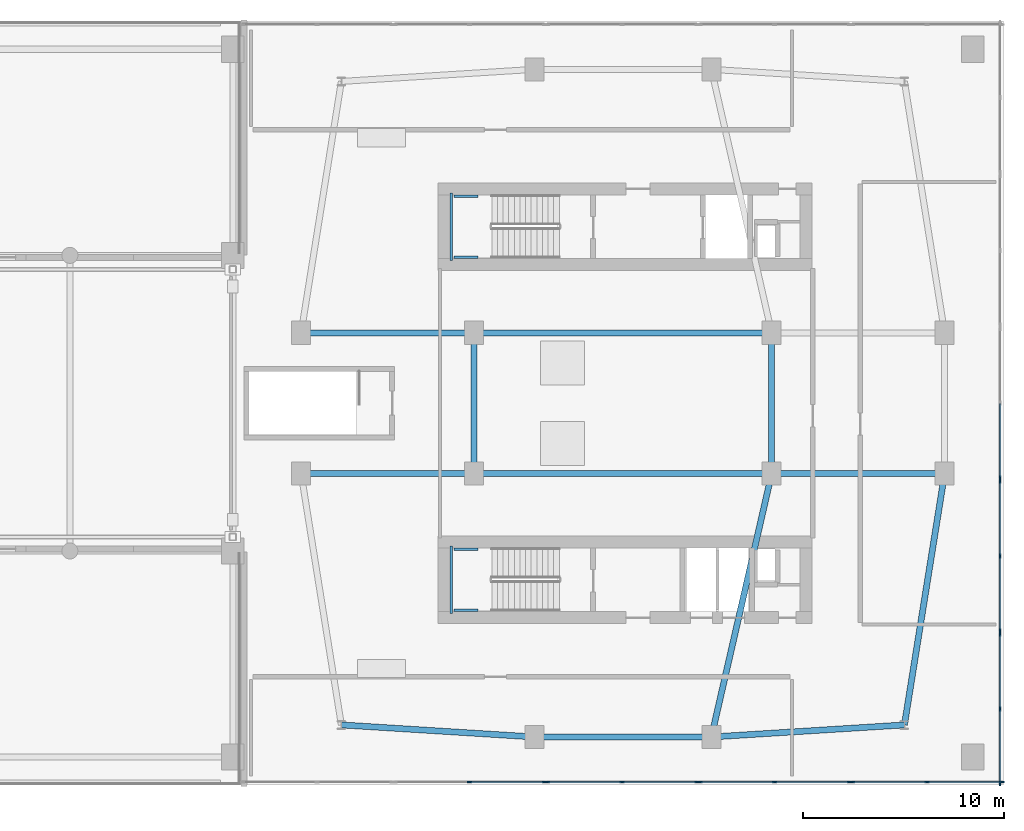
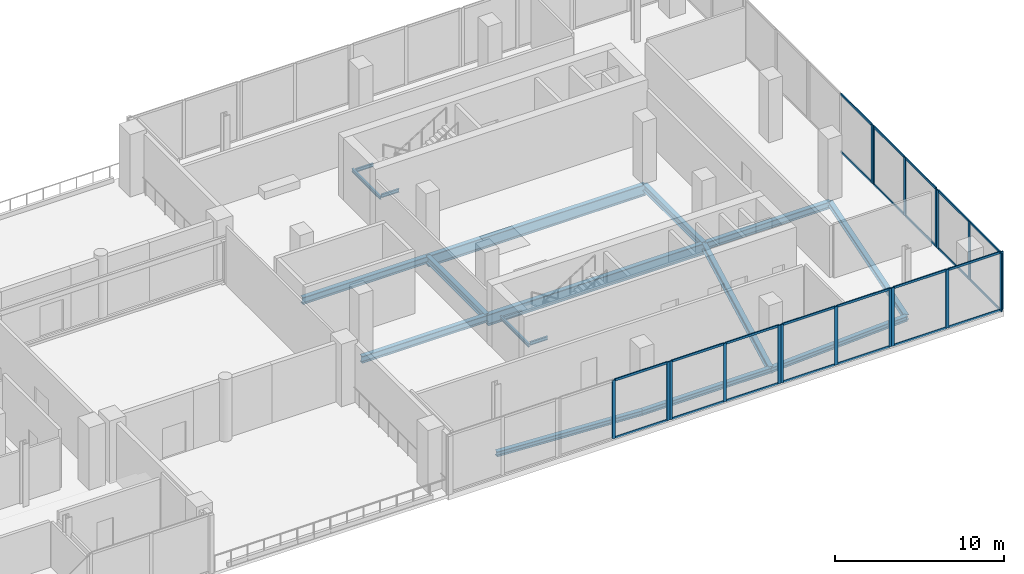
# One storey, part 10 of 21: 42 members, 18 beams, 7 elements without a shape of their own.
"""IFC4 building model written with IfcOpenShell, lengths in metres."""

from ifc_helpers import new_model, si_unit, derived_unit, direction, frame, origin, origin_2d, place, context, subcontext, project, spatial, rectangle, i_section, extrude, material, layer, layer_set, material_profile, profile_set, type_object, element, aggregate, save


model = new_model("IFC4")

# Units and contexts
model_context = context("Model", 3, precision=1e-05, world=origin(), true_north=direction((0.0, 1.0)))
body_context = subcontext(model_context, "Body", "Model", "MODEL_VIEW")
ifc_project = project(units=[si_unit("LENGTHUNIT", "METRE"), si_unit("AREAUNIT", "SQUARE_METRE"), si_unit("VOLUMEUNIT", "CUBIC_METRE"), si_unit("PLANEANGLEUNIT", "RADIAN"), si_unit("MASSUNIT", "GRAM", prefix="KILO"), derived_unit("THERMALTRANSMITTANCEUNIT", [(si_unit("POWERUNIT", "WATT"), 1), (si_unit("LENGTHUNIT", "METRE"), -2), (si_unit("THERMODYNAMICTEMPERATUREUNIT", "KELVIN"), -1)])], contexts=[model_context])

# Site, building, storey
site_placement = place(None, origin())
site = spatial("IfcSite", under=ifc_project, at=site_placement, CompositionType="ELEMENT")
building_placement = place(site_placement, origin())
building = spatial("IfcBuilding", under=site, at=building_placement, Name="Kivonza Crest Hotel", CompositionType="ELEMENT")
storey_placement = place(building_placement, frame((0.0, 0.0, 19.5)))
storey = spatial("IfcBuildingStorey", under=building, at=storey_placement, Name="L04", CompositionType="ELEMENT", Elevation=19.5)

# Beams
ifc_material_1 = material(Name="Steel S355", Category="steel")
ifc_material_profile_1 = material_profile(ifc_material_1, i_section(OverallWidth=0.300048828125, OverallDepth=0.360107421875, WebThickness=0.012451171875, FlangeThickness=0.0224609375, FilletRadius=0.027099609375, at=origin_2d()), Name="HEB 360")
ifc_profile_set_1 = profile_set([ifc_material_profile_1], Name="Steel S355")
beam_type_1 = type_object("IfcBeamType", Name="BM-HEB360", PredefinedType="SPANDREL", material=ifc_profile_set_1)
beam_1_placement = place(storey_placement, frame((72.60009765625, 8.39990234375, -0.580078125), z_axis=(1.0, 0.0, 0.0), x_axis=(0.0, 1.0, 0.0)))
element("IfcBeam", 1, at=beam_1_placement, inside=storey, type_object=beam_type_1, Name="Companion Tower T2 L04 perimeter spandrel S1-S2", PredefinedType="SPANDREL", context=body_context, shape_type="SweptSolid", body=[
    extrude(i_section(OverallWidth=0.300048828125, OverallDepth=0.360107421875, WebThickness=0.012451171875, FlangeThickness=0.0224609375, FilletRadius=0.027099609375, at=origin_2d()), origin(), (0.0, 0.0, 1.0), 8.7998046875),
])
beam_2_placement = place(storey_placement, frame((81.39990234375, 8.39990234375, -0.580078125), z_axis=(0.998051985873, 0.062387767186, 0.0), x_axis=(-0.062387767186, 0.998051985873, 0.0)))
element("IfcBeam", 2, at=beam_2_placement, inside=storey, type_object=beam_type_1, Name="Companion Tower T2 L04 perimeter spandrel S2-SE", PredefinedType="SPANDREL", context=body_context, shape_type="SweptSolid", body=[
    extrude(i_section(OverallWidth=0.300048828125, OverallDepth=0.360107421875, WebThickness=0.012451171875, FlangeThickness=0.0224609375, FilletRadius=0.027099609375, at=origin_2d()), origin(), (0.0, 0.0, 1.0), 9.618896484375),
])
beam_3_placement = place(storey_placement, frame((91.0, 9.0, -0.580078125), z_axis=(0.157990501107, 0.987440631917, 0.0), x_axis=(-0.987440631917, 0.157990501107, 0.0)))
element("IfcBeam", 3, at=beam_3_placement, inside=storey, type_object=beam_type_1, Name="Companion Tower T2 L04 perimeter spandrel SE-E1", PredefinedType="SPANDREL", context=body_context, shape_type="SweptSolid", body=[
    extrude(i_section(OverallWidth=0.300048828125, OverallDepth=0.360107421875, WebThickness=0.012451171875, FlangeThickness=0.0224609375, FilletRadius=0.027099609375, at=origin_2d()), origin(), (0.0, 0.0, 1.0), 12.658935546875),
])
beam_4_placement = place(storey_placement, frame((63.0, 9.0, -0.580078125), z_axis=(0.998051985873, -0.062387767186, 0.0), x_axis=(0.062387767186, 0.998051985873, 0.0)))
element("IfcBeam", 4, at=beam_4_placement, inside=storey, type_object=beam_type_1, Name="Companion Tower T2 L04 perimeter spandrel SW-S1", PredefinedType="SPANDREL", context=body_context, shape_type="SweptSolid", body=[
    extrude(i_section(OverallWidth=0.300048828125, OverallDepth=0.360107421875, WebThickness=0.012451171875, FlangeThickness=0.0224609375, FilletRadius=0.027099609375, at=origin_2d()), origin(), (0.0, 0.0, 1.0), 9.618896484375),
])
ifc_material_profile_2 = material_profile(ifc_material_1, i_section(OverallWidth=0.300048828125, OverallDepth=0.5, WebThickness=0.014404296875, FlangeThickness=0.028076171875, FilletRadius=0.027099609375, at=origin_2d()), Name="HEB 500")
ifc_profile_set_2 = profile_set([ifc_material_profile_2], Name="Steel S355")
beam_type_2 = type_object("IfcBeamType", Name="BM-HEB500", PredefinedType="BEAM", material=ifc_profile_set_2)
for number, where, z_axis, x_axis, name in (
    (5, (61.0, 21.5, -0.64990234375), (1.0, 0.0, 0.0), (0.0, 1.0, 0.0), "Companion Tower T2 L04 girder W1-WL1"),
    (6, (61.0, 28.5, -0.64990234375), (1.0, 0.0, 0.0), (0.0, 1.0, 0.0), "Companion Tower T2 L04 girder W2-WL2"),
):
    element("IfcBeam", number, at=place(storey_placement, frame(where, z_axis=z_axis, x_axis=x_axis)), inside=storey, type_object=beam_type_2, Name=name, PredefinedType="BEAM", context=body_context, shape_type="SweptSolid", body=[
        extrude(i_section(OverallWidth=0.300048828125, OverallDepth=0.5, WebThickness=0.014404296875, FlangeThickness=0.028076171875, FilletRadius=0.027099609375, at=origin_2d()), origin(), (0.0, 0.0, 1.0), 8.60009765625),
    ])
beam_5_placement = place(storey_placement, frame((69.60009765625, 21.5, -0.64990234375), z_axis=(0.0, 1.0, 0.0), x_axis=(-1.0, 0.0, 0.0)))
element("IfcBeam", 7, at=beam_5_placement, inside=storey, type_object=beam_type_2, Name="Companion Tower T2 L04 girder WL1-WL2", PredefinedType="BEAM", context=body_context, shape_type="SweptSolid", body=[
    extrude(i_section(OverallWidth=0.300048828125, OverallDepth=0.5, WebThickness=0.014404296875, FlangeThickness=0.028076171875, FilletRadius=0.027099609375, at=origin_2d()), origin(), (0.0, 0.0, 1.0), 7.0),
])
beam_6_placement = place(storey_placement, frame((84.39990234375, 21.5, -0.64990234375), z_axis=(1.0, 0.0, 0.0), x_axis=(0.0, 1.0, 0.0)))
element("IfcBeam", 8, at=beam_6_placement, inside=storey, type_object=beam_type_2, Name="Companion Tower T2 L04 girder WR1-E1", PredefinedType="BEAM", context=body_context, shape_type="SweptSolid", body=[
    extrude(i_section(OverallWidth=0.300048828125, OverallDepth=0.5, WebThickness=0.014404296875, FlangeThickness=0.028076171875, FilletRadius=0.027099609375, at=origin_2d()), origin(), (0.0, 0.0, 1.0), 8.60009765625),
])
beam_7_placement = place(storey_placement, frame((84.39990234375, 21.5, -0.64990234375), z_axis=(0.0, 1.0, 0.0), x_axis=(-1.0, 0.0, 0.0)))
element("IfcBeam", 9, at=beam_7_placement, inside=storey, type_object=beam_type_2, Name="Companion Tower T2 L04 girder WR1-WR2", PredefinedType="BEAM", context=body_context, shape_type="SweptSolid", body=[
    extrude(i_section(OverallWidth=0.300048828125, OverallDepth=0.5, WebThickness=0.014404296875, FlangeThickness=0.028076171875, FilletRadius=0.027099609375, at=origin_2d()), origin(), (0.0, 0.0, 1.0), 7.0),
])
beam_8_placement = place(storey_placement, frame((84.39990234375, 21.5, -0.64990234375), z_axis=(-0.223227287589, -0.974766422317, 0.0), x_axis=(0.974766422317, -0.223227287589, 0.0)))
element("IfcBeam", 10, at=beam_8_placement, inside=storey, type_object=beam_type_2, Name="Companion Tower T2 L04 girder WR1-S2", PredefinedType="BEAM", context=body_context, shape_type="SweptSolid", body=[
    extrude(i_section(OverallWidth=0.300048828125, OverallDepth=0.5, WebThickness=0.014404296875, FlangeThickness=0.028076171875, FilletRadius=0.027099609375, at=origin_2d()), origin(), (0.0, 0.0, 1.0), 13.439208984375),
])
ifc_material_profile_3 = material_profile(ifc_material_1, i_section(OverallWidth=0.300048828125, OverallDepth=0.800048828125, WebThickness=0.017578125, FlangeThickness=0.032958984375, FilletRadius=0.030029296875, at=origin_2d()), Name="HEB 800")
ifc_profile_set_3 = profile_set([ifc_material_profile_3], Name="Steel S355")
beam_type_3 = type_object("IfcBeamType", Name="BM-HEB800", PredefinedType="BEAM", material=ifc_profile_set_3)
for number, where, z_axis, x_axis, name in (
    (11, (69.60009765625, 21.5, -0.800048828125), (1.0, 0.0, 0.0), (0.0, 1.0, 0.0), "L04 podium girder X 14"),
    (12, (69.60009765625, 28.5, -0.800048828125), (1.0, 0.0, 0.0), (0.0, 1.0, 0.0), "L04 podium girder X 21"),
):
    element("IfcBeam", number, at=place(storey_placement, frame(where, z_axis=z_axis, x_axis=x_axis)), inside=storey, type_object=beam_type_3, Name=name, PredefinedType="BEAM", context=body_context, shape_type="SweptSolid", body=[
        extrude(i_section(OverallWidth=0.300048828125, OverallDepth=0.800048828125, WebThickness=0.017578125, FlangeThickness=0.032958984375, FilletRadius=0.030029296875, at=origin_2d()), origin(), (0.0, 0.0, 1.0), 14.7998046875),
    ])
ifc_material_profile_4 = material_profile(ifc_material_1, i_section(OverallWidth=0.1201171875, OverallDepth=0.239990234375, WebThickness=0.006103515625, FlangeThickness=0.009765625, FilletRadius=0.014892578125, at=origin_2d()), Name="IPE 240")
ifc_profile_set_4 = profile_set([ifc_material_profile_4], Name="Steel S355")
beam_type_4 = type_object("IfcBeamType", Name="BM-LLDG-240", PredefinedType="BEAM", material=ifc_profile_set_4)
beam_9_placement = place(storey_placement, frame((68.4599609375, 32.10009765625, 1.929931640625), z_axis=(0.0, 1.0, 0.0), x_axis=(-1.0, 0.0, 0.0)))
element("IfcBeam", 13, at=beam_9_placement, inside=storey, type_object=beam_type_4, Name="Stair ST-T2-N L04 West landing corbel", PredefinedType="BEAM", context=body_context, shape_type="SweptSolid", body=[
    extrude(i_section(OverallWidth=0.1201171875, OverallDepth=0.239990234375, WebThickness=0.006103515625, FlangeThickness=0.009765625, FilletRadius=0.014892578125, at=origin_2d()), origin(), (0.0, 0.0, 1.0), 3.35986328125),
])
for number, where, z_axis, x_axis, name in (
    (14, (68.590087890625, 32.260009765625, 1.929931640625), (1.0, 0.0, 0.0), (0.0, 1.0, 0.0), "Stair ST-T2-N L04 South landing corbel"),
    (15, (68.590087890625, 35.300048828125, 1.929931640625), (1.0, 0.0, 0.0), (0.0, 1.0, 0.0), "Stair ST-T2-N L04 North landing corbel"),
):
    element("IfcBeam", number, at=place(storey_placement, frame(where, z_axis=z_axis, x_axis=x_axis)), inside=storey, type_object=beam_type_4, Name=name, PredefinedType="BEAM", context=body_context, shape_type="SweptSolid", body=[
        extrude(i_section(OverallWidth=0.1201171875, OverallDepth=0.239990234375, WebThickness=0.006103515625, FlangeThickness=0.009765625, FilletRadius=0.014892578125, at=origin_2d()), origin(), (0.0, 0.0, 1.0), 1.2099609375),
    ])
beam_10_placement = place(storey_placement, frame((68.4599609375, 14.5400390625, 1.929931640625), z_axis=(0.0, 1.0, 0.0), x_axis=(-1.0, 0.0, 0.0)))
element("IfcBeam", 16, at=beam_10_placement, inside=storey, type_object=beam_type_4, Name="Stair ST-T2-S L04 West landing corbel", PredefinedType="BEAM", context=body_context, shape_type="SweptSolid", body=[
    extrude(i_section(OverallWidth=0.1201171875, OverallDepth=0.239990234375, WebThickness=0.006103515625, FlangeThickness=0.009765625, FilletRadius=0.014892578125, at=origin_2d()), origin(), (0.0, 0.0, 1.0), 3.35986328125),
])
for number, where, z_axis, x_axis, name in (
    (17, (68.590087890625, 14.699951171875, 1.929931640625), (1.0, 0.0, 0.0), (0.0, 1.0, 0.0), "Stair ST-T2-S L04 South landing corbel"),
    (18, (68.590087890625, 17.739990234375, 1.929931640625), (1.0, 0.0, 0.0), (0.0, 1.0, 0.0), "Stair ST-T2-S L04 North landing corbel"),
):
    element("IfcBeam", number, at=place(storey_placement, frame(where, z_axis=z_axis, x_axis=x_axis)), inside=storey, type_object=beam_type_4, Name=name, PredefinedType="BEAM", context=body_context, shape_type="SweptSolid", body=[
        extrude(i_section(OverallWidth=0.1201171875, OverallDepth=0.239990234375, WebThickness=0.006103515625, FlangeThickness=0.009765625, FilletRadius=0.014892578125, at=origin_2d()), origin(), (0.0, 0.0, 1.0), 1.2099609375),
    ])

# Curtain wall, members
ifc_material_2 = material(Name="Anodised bronze aluminium and low-E double glazing", Category="aluminium")
ifc_layer = layer(ifc_material_2, 0.199951171875)
ifc_layer_set = layer_set([ifc_layer], Name="Anodised bronze aluminium and low-E double glazing")
curtain_wall_type = type_object("IfcCurtainWallType", Name="CW-SYS-6", PredefinedType="NOTDEFINED", material=ifc_layer_set)
curtain_wall_1_placement = place(storey_placement, origin())
curtain_wall_1 = element("IfcCurtainWall", 19, at=curtain_wall_1_placement, inside=storey, type_object=curtain_wall_type, Name="L04 unitised curtain wall CW-POD-L04-12", PredefinedType="NOTDEFINED")
ifc_material_3 = material(Name="Anodised bronze aluminium", Category="aluminium")
ifc_material_profile_5 = material_profile(ifc_material_3, rectangle(XDim=0.074951171875, YDim=0.219970703125, at=origin_2d()), Name="CW-M 75x220")
ifc_profile_set_5 = profile_set([ifc_material_profile_5], Name="Anodised bronze aluminium")
member_type_1 = type_object("IfcMemberType", Name="CW-MUL-75x220", PredefinedType="MULLION", material=ifc_profile_set_5)
member_1_placement = place(storey_placement, frame((69.3759765625, 6.159912109375, 0.0), z_axis=(0.0, 0.0, 1.0), x_axis=(0.0, 1.0, 0.0)))
member_1 = element("IfcMember", 20, at=member_1_placement, type_object=member_type_1, Name="CW-6 mullion 2", PredefinedType="MULLION", context=body_context, shape_type="SweptSolid", body=[
    extrude(rectangle(XDim=0.074951171875, YDim=0.219970703125, at=origin_2d()), origin(), (0.0, 0.0, 1.0), 4.219970703125),
])
member_2_placement = place(storey_placement, frame((73.090576171875, 6.159912109375, 0.0), z_axis=(0.0, 0.0, 1.0), x_axis=(0.0, 1.0, 0.0)))
member_2 = element("IfcMember", 21, at=member_2_placement, type_object=member_type_1, Name="CW-6 mullion 3", PredefinedType="MULLION", context=body_context, shape_type="SweptSolid", body=[
    extrude(rectangle(XDim=0.074951171875, YDim=0.219970703125, at=origin_2d()), origin(), (0.0, 0.0, 1.0), 4.219970703125),
])

curtain_wall_2_placement = place(storey_placement, origin())
curtain_wall_2 = element("IfcCurtainWall", 22, at=curtain_wall_2_placement, inside=storey, type_object=curtain_wall_type, Name="L04 unitised curtain wall CW-POD-L04-13", PredefinedType="NOTDEFINED")
member_3_placement = place(storey_placement, frame((73.24560546875, 6.159912109375, 0.0), z_axis=(0.0, 0.0, 1.0), x_axis=(0.0, 1.0, 0.0)))
member_3 = element("IfcMember", 23, at=member_3_placement, type_object=member_type_1, Name="CW-6 mullion 1", PredefinedType="MULLION", context=body_context, shape_type="SweptSolid", body=[
    extrude(rectangle(XDim=0.074951171875, YDim=0.219970703125, at=origin_2d()), origin(), (0.0, 0.0, 1.0), 4.219970703125),
])
member_4_placement = place(storey_placement, frame((76.9599609375, 6.159912109375, 0.0), z_axis=(0.0, 0.0, 1.0), x_axis=(0.0, 1.0, 0.0)))
member_4 = element("IfcMember", 24, at=member_4_placement, type_object=member_type_1, Name="CW-6 mullion 2", PredefinedType="MULLION", context=body_context, shape_type="SweptSolid", body=[
    extrude(rectangle(XDim=0.074951171875, YDim=0.219970703125, at=origin_2d()), origin(), (0.0, 0.0, 1.0), 4.219970703125),
])
member_5_placement = place(storey_placement, frame((80.674560546875, 6.159912109375, 0.0), z_axis=(0.0, 0.0, 1.0), x_axis=(0.0, 1.0, 0.0)))
member_5 = element("IfcMember", 25, at=member_5_placement, type_object=member_type_1, Name="CW-6 mullion 3", PredefinedType="MULLION", context=body_context, shape_type="SweptSolid", body=[
    extrude(rectangle(XDim=0.074951171875, YDim=0.219970703125, at=origin_2d()), origin(), (0.0, 0.0, 1.0), 4.219970703125),
])

curtain_wall_3_placement = place(storey_placement, origin())
curtain_wall_3 = element("IfcCurtainWall", 26, at=curtain_wall_3_placement, inside=storey, type_object=curtain_wall_type, Name="L04 unitised curtain wall CW-POD-L04-14", PredefinedType="NOTDEFINED")
member_6_placement = place(storey_placement, frame((80.82958984375, 6.159912109375, 0.0), z_axis=(0.0, 0.0, 1.0), x_axis=(0.0, 1.0, 0.0)))
member_6 = element("IfcMember", 27, at=member_6_placement, type_object=member_type_1, Name="CW-6 mullion 1", PredefinedType="MULLION", context=body_context, shape_type="SweptSolid", body=[
    extrude(rectangle(XDim=0.074951171875, YDim=0.219970703125, at=origin_2d()), origin(), (0.0, 0.0, 1.0), 4.219970703125),
])
member_7_placement = place(storey_placement, frame((84.5439453125, 6.159912109375, 0.0), z_axis=(0.0, 0.0, 1.0), x_axis=(0.0, 1.0, 0.0)))
member_7 = element("IfcMember", 28, at=member_7_placement, type_object=member_type_1, Name="CW-6 mullion 2", PredefinedType="MULLION", context=body_context, shape_type="SweptSolid", body=[
    extrude(rectangle(XDim=0.074951171875, YDim=0.219970703125, at=origin_2d()), origin(), (0.0, 0.0, 1.0), 4.219970703125),
])
member_8_placement = place(storey_placement, frame((88.258544921875, 6.159912109375, 0.0), z_axis=(0.0, 0.0, 1.0), x_axis=(0.0, 1.0, 0.0)))
member_8 = element("IfcMember", 29, at=member_8_placement, type_object=member_type_1, Name="CW-6 mullion 3", PredefinedType="MULLION", context=body_context, shape_type="SweptSolid", body=[
    extrude(rectangle(XDim=0.074951171875, YDim=0.219970703125, at=origin_2d()), origin(), (0.0, 0.0, 1.0), 4.219970703125),
])

curtain_wall_4_placement = place(storey_placement, origin())
curtain_wall_4 = element("IfcCurtainWall", 30, at=curtain_wall_4_placement, inside=storey, type_object=curtain_wall_type, Name="L04 unitised curtain wall CW-POD-L04-15", PredefinedType="NOTDEFINED")
member_9_placement = place(storey_placement, frame((88.41357421875, 6.159912109375, 0.0), z_axis=(0.0, 0.0, 1.0), x_axis=(0.0, 1.0, 0.0)))
member_9 = element("IfcMember", 31, at=member_9_placement, type_object=member_type_1, Name="CW-6 mullion 1", PredefinedType="MULLION", context=body_context, shape_type="SweptSolid", body=[
    extrude(rectangle(XDim=0.074951171875, YDim=0.219970703125, at=origin_2d()), origin(), (0.0, 0.0, 1.0), 4.219970703125),
])
member_10_placement = place(storey_placement, frame((92.1279296875, 6.159912109375, 0.0), z_axis=(0.0, 0.0, 1.0), x_axis=(0.0, 1.0, 0.0)))
member_10 = element("IfcMember", 32, at=member_10_placement, type_object=member_type_1, Name="CW-6 mullion 2", PredefinedType="MULLION", context=body_context, shape_type="SweptSolid", body=[
    extrude(rectangle(XDim=0.074951171875, YDim=0.219970703125, at=origin_2d()), origin(), (0.0, 0.0, 1.0), 4.219970703125),
])
member_11_placement = place(storey_placement, frame((95.842529296875, 6.159912109375, 0.0), z_axis=(0.0, 0.0, 1.0), x_axis=(0.0, 1.0, 0.0)))
member_11 = element("IfcMember", 33, at=member_11_placement, type_object=member_type_1, Name="CW-6 mullion 3", PredefinedType="MULLION", context=body_context, shape_type="SweptSolid", body=[
    extrude(rectangle(XDim=0.074951171875, YDim=0.219970703125, at=origin_2d()), origin(), (0.0, 0.0, 1.0), 4.219970703125),
])

curtain_wall_5_placement = place(storey_placement, origin())
curtain_wall_5 = element("IfcCurtainWall", 34, at=curtain_wall_5_placement, inside=storey, type_object=curtain_wall_type, Name="L04 unitised curtain wall CW-POD-L04-16", PredefinedType="NOTDEFINED")
member_12_placement = place(storey_placement, frame((95.760009765625, 6.077392578125, 0.0), z_axis=(0.0, 0.0, 1.0), x_axis=(-1.0, 0.0, 0.0)))
member_12 = element("IfcMember", 35, at=member_12_placement, type_object=member_type_1, Name="CW-6 mullion 1", PredefinedType="MULLION", context=body_context, shape_type="SweptSolid", body=[
    extrude(rectangle(XDim=0.074951171875, YDim=0.219970703125, at=origin_2d()), origin(), (0.0, 0.0, 1.0), 4.219970703125),
])
member_13_placement = place(storey_placement, frame((95.760009765625, 9.800048828125, 0.0), z_axis=(0.0, 0.0, 1.0), x_axis=(-1.0, 0.0, 0.0)))
member_13 = element("IfcMember", 36, at=member_13_placement, type_object=member_type_1, Name="CW-6 mullion 2", PredefinedType="MULLION", context=body_context, shape_type="SweptSolid", body=[
    extrude(rectangle(XDim=0.074951171875, YDim=0.219970703125, at=origin_2d()), origin(), (0.0, 0.0, 1.0), 4.219970703125),
])
member_14_placement = place(storey_placement, frame((95.760009765625, 13.5224609375, 0.0), z_axis=(0.0, 0.0, 1.0), x_axis=(-1.0, 0.0, 0.0)))
member_14 = element("IfcMember", 37, at=member_14_placement, type_object=member_type_1, Name="CW-6 mullion 3", PredefinedType="MULLION", context=body_context, shape_type="SweptSolid", body=[
    extrude(rectangle(XDim=0.074951171875, YDim=0.219970703125, at=origin_2d()), origin(), (0.0, 0.0, 1.0), 4.219970703125),
])

curtain_wall_6_placement = place(storey_placement, origin())
curtain_wall_6 = element("IfcCurtainWall", 38, at=curtain_wall_6_placement, inside=storey, type_object=curtain_wall_type, Name="L04 unitised curtain wall CW-POD-L04-17", PredefinedType="NOTDEFINED")
member_15_placement = place(storey_placement, frame((95.760009765625, 13.677490234375, 0.0), z_axis=(0.0, 0.0, 1.0), x_axis=(-1.0, 0.0, 0.0)))
member_15 = element("IfcMember", 39, at=member_15_placement, type_object=member_type_1, Name="CW-6 mullion 1", PredefinedType="MULLION", context=body_context, shape_type="SweptSolid", body=[
    extrude(rectangle(XDim=0.074951171875, YDim=0.219970703125, at=origin_2d()), origin(), (0.0, 0.0, 1.0), 4.219970703125),
])
member_16_placement = place(storey_placement, frame((95.760009765625, 17.39990234375, 0.0), z_axis=(0.0, 0.0, 1.0), x_axis=(-1.0, 0.0, 0.0)))
member_16 = element("IfcMember", 40, at=member_16_placement, type_object=member_type_1, Name="CW-6 mullion 2", PredefinedType="MULLION", context=body_context, shape_type="SweptSolid", body=[
    extrude(rectangle(XDim=0.074951171875, YDim=0.219970703125, at=origin_2d()), origin(), (0.0, 0.0, 1.0), 4.219970703125),
])
member_17_placement = place(storey_placement, frame((95.760009765625, 21.12255859375, 0.0), z_axis=(0.0, 0.0, 1.0), x_axis=(-1.0, 0.0, 0.0)))
member_17 = element("IfcMember", 41, at=member_17_placement, type_object=member_type_1, Name="CW-6 mullion 3", PredefinedType="MULLION", context=body_context, shape_type="SweptSolid", body=[
    extrude(rectangle(XDim=0.074951171875, YDim=0.219970703125, at=origin_2d()), origin(), (0.0, 0.0, 1.0), 4.219970703125),
])

# Curtain wall, member
curtain_wall_7_placement = place(storey_placement, origin())
curtain_wall_7 = element("IfcCurtainWall", 42, at=curtain_wall_7_placement, inside=storey, type_object=curtain_wall_type, Name="L04 unitised curtain wall CW-POD-L04-18", PredefinedType="NOTDEFINED")
member_18_placement = place(storey_placement, frame((95.760009765625, 21.277587890625, 0.0), z_axis=(0.0, 0.0, 1.0), x_axis=(-1.0, 0.0, 0.0)))
member_18 = element("IfcMember", 43, at=member_18_placement, type_object=member_type_1, Name="CW-6 mullion 1", PredefinedType="MULLION", context=body_context, shape_type="SweptSolid", body=[
    extrude(rectangle(XDim=0.074951171875, YDim=0.219970703125, at=origin_2d()), origin(), (0.0, 0.0, 1.0), 4.219970703125),
])

# Member
ifc_material_profile_6 = material_profile(ifc_material_3, rectangle(XDim=0.074951171875, YDim=0.159912109375, at=origin_2d()), Name="CW-T 75x160")
ifc_profile_set_6 = profile_set([ifc_material_profile_6], Name="Anodised bronze aluminium")
member_type_2 = type_object("IfcMemberType", Name="CW-TRN-75x160", PredefinedType="USERDEFINED", material=ifc_profile_set_6)
member_19_placement = place(storey_placement, frame((69.41357421875, 6.159912109375, 0.03759765625), z_axis=(1.0, 0.0, 0.0), x_axis=(0.0, 1.0, 0.0)))
member_19 = element("IfcMember", 44, at=member_19_placement, type_object=member_type_2, Name="CW-6 transom 2.1", ObjectType="TRANSOM", PredefinedType="USERDEFINED", context=body_context, shape_type="SweptSolid", body=[
    extrude(rectangle(XDim=0.074951171875, YDim=0.159912109375, at=origin_2d()), origin(), (0.0, 0.0, 1.0), 3.639404296875),
])

member_20_placement = place(storey_placement, frame((69.41357421875, 6.159912109375, 4.1826171875), z_axis=(1.0, 0.0, 0.0), x_axis=(0.0, 1.0, 0.0)))
member_20 = element("IfcMember", 45, at=member_20_placement, type_object=member_type_2, Name="CW-6 transom 2.2", ObjectType="TRANSOM", PredefinedType="USERDEFINED", context=body_context, shape_type="SweptSolid", body=[
    extrude(rectangle(XDim=0.074951171875, YDim=0.159912109375, at=origin_2d()), origin(), (0.0, 0.0, 1.0), 3.639404296875),
])

aggregate(curtain_wall_1, [member_1, member_2, member_19, member_20])

member_21_placement = place(storey_placement, frame((73.282958984375, 6.159912109375, 0.03759765625), z_axis=(1.0, 0.0, 0.0), x_axis=(0.0, 1.0, 0.0)))
member_21 = element("IfcMember", 46, at=member_21_placement, type_object=member_type_2, Name="CW-6 transom 1.1", ObjectType="TRANSOM", PredefinedType="USERDEFINED", context=body_context, shape_type="SweptSolid", body=[
    extrude(rectangle(XDim=0.074951171875, YDim=0.159912109375, at=origin_2d()), origin(), (0.0, 0.0, 1.0), 3.6396484375),
])

member_22_placement = place(storey_placement, frame((73.282958984375, 6.159912109375, 4.1826171875), z_axis=(1.0, 0.0, 0.0), x_axis=(0.0, 1.0, 0.0)))
member_22 = element("IfcMember", 47, at=member_22_placement, type_object=member_type_2, Name="CW-6 transom 1.2", ObjectType="TRANSOM", PredefinedType="USERDEFINED", context=body_context, shape_type="SweptSolid", body=[
    extrude(rectangle(XDim=0.074951171875, YDim=0.159912109375, at=origin_2d()), origin(), (0.0, 0.0, 1.0), 3.6396484375),
])

member_23_placement = place(storey_placement, frame((76.99755859375, 6.159912109375, 0.03759765625), z_axis=(1.0, 0.0, 0.0), x_axis=(0.0, 1.0, 0.0)))
member_23 = element("IfcMember", 48, at=member_23_placement, type_object=member_type_2, Name="CW-6 transom 2.1", ObjectType="TRANSOM", PredefinedType="USERDEFINED", context=body_context, shape_type="SweptSolid", body=[
    extrude(rectangle(XDim=0.074951171875, YDim=0.159912109375, at=origin_2d()), origin(), (0.0, 0.0, 1.0), 3.639404296875),
])

member_24_placement = place(storey_placement, frame((76.99755859375, 6.159912109375, 4.1826171875), z_axis=(1.0, 0.0, 0.0), x_axis=(0.0, 1.0, 0.0)))
member_24 = element("IfcMember", 49, at=member_24_placement, type_object=member_type_2, Name="CW-6 transom 2.2", ObjectType="TRANSOM", PredefinedType="USERDEFINED", context=body_context, shape_type="SweptSolid", body=[
    extrude(rectangle(XDim=0.074951171875, YDim=0.159912109375, at=origin_2d()), origin(), (0.0, 0.0, 1.0), 3.639404296875),
])

aggregate(curtain_wall_2, [member_3, member_4, member_5, member_21, member_22, member_23, member_24])

member_25_placement = place(storey_placement, frame((80.866943359375, 6.159912109375, 0.03759765625), z_axis=(1.0, 0.0, 0.0), x_axis=(0.0, 1.0, 0.0)))
member_25 = element("IfcMember", 50, at=member_25_placement, type_object=member_type_2, Name="CW-6 transom 1.1", ObjectType="TRANSOM", PredefinedType="USERDEFINED", context=body_context, shape_type="SweptSolid", body=[
    extrude(rectangle(XDim=0.074951171875, YDim=0.159912109375, at=origin_2d()), origin(), (0.0, 0.0, 1.0), 3.6396484375),
])

member_26_placement = place(storey_placement, frame((80.866943359375, 6.159912109375, 4.1826171875), z_axis=(1.0, 0.0, 0.0), x_axis=(0.0, 1.0, 0.0)))
member_26 = element("IfcMember", 51, at=member_26_placement, type_object=member_type_2, Name="CW-6 transom 1.2", ObjectType="TRANSOM", PredefinedType="USERDEFINED", context=body_context, shape_type="SweptSolid", body=[
    extrude(rectangle(XDim=0.074951171875, YDim=0.159912109375, at=origin_2d()), origin(), (0.0, 0.0, 1.0), 3.6396484375),
])

member_27_placement = place(storey_placement, frame((84.58154296875, 6.159912109375, 0.03759765625), z_axis=(1.0, 0.0, 0.0), x_axis=(0.0, 1.0, 0.0)))
member_27 = element("IfcMember", 52, at=member_27_placement, type_object=member_type_2, Name="CW-6 transom 2.1", ObjectType="TRANSOM", PredefinedType="USERDEFINED", context=body_context, shape_type="SweptSolid", body=[
    extrude(rectangle(XDim=0.074951171875, YDim=0.159912109375, at=origin_2d()), origin(), (0.0, 0.0, 1.0), 3.639404296875),
])

member_28_placement = place(storey_placement, frame((84.58154296875, 6.159912109375, 4.1826171875), z_axis=(1.0, 0.0, 0.0), x_axis=(0.0, 1.0, 0.0)))
member_28 = element("IfcMember", 53, at=member_28_placement, type_object=member_type_2, Name="CW-6 transom 2.2", ObjectType="TRANSOM", PredefinedType="USERDEFINED", context=body_context, shape_type="SweptSolid", body=[
    extrude(rectangle(XDim=0.074951171875, YDim=0.159912109375, at=origin_2d()), origin(), (0.0, 0.0, 1.0), 3.639404296875),
])

aggregate(curtain_wall_3, [member_6, member_7, member_8, member_25, member_26, member_27, member_28])

member_29_placement = place(storey_placement, frame((88.450927734375, 6.159912109375, 0.03759765625), z_axis=(1.0, 0.0, 0.0), x_axis=(0.0, 1.0, 0.0)))
member_29 = element("IfcMember", 54, at=member_29_placement, type_object=member_type_2, Name="CW-6 transom 1.1", ObjectType="TRANSOM", PredefinedType="USERDEFINED", context=body_context, shape_type="SweptSolid", body=[
    extrude(rectangle(XDim=0.074951171875, YDim=0.159912109375, at=origin_2d()), origin(), (0.0, 0.0, 1.0), 3.6396484375),
])

member_30_placement = place(storey_placement, frame((88.450927734375, 6.159912109375, 4.1826171875), z_axis=(1.0, 0.0, 0.0), x_axis=(0.0, 1.0, 0.0)))
member_30 = element("IfcMember", 55, at=member_30_placement, type_object=member_type_2, Name="CW-6 transom 1.2", ObjectType="TRANSOM", PredefinedType="USERDEFINED", context=body_context, shape_type="SweptSolid", body=[
    extrude(rectangle(XDim=0.074951171875, YDim=0.159912109375, at=origin_2d()), origin(), (0.0, 0.0, 1.0), 3.6396484375),
])

member_31_placement = place(storey_placement, frame((92.16552734375, 6.159912109375, 0.03759765625), z_axis=(1.0, 0.0, 0.0), x_axis=(0.0, 1.0, 0.0)))
member_31 = element("IfcMember", 56, at=member_31_placement, type_object=member_type_2, Name="CW-6 transom 2.1", ObjectType="TRANSOM", PredefinedType="USERDEFINED", context=body_context, shape_type="SweptSolid", body=[
    extrude(rectangle(XDim=0.074951171875, YDim=0.159912109375, at=origin_2d()), origin(), (0.0, 0.0, 1.0), 3.639404296875),
])

member_32_placement = place(storey_placement, frame((92.16552734375, 6.159912109375, 4.1826171875), z_axis=(1.0, 0.0, 0.0), x_axis=(0.0, 1.0, 0.0)))
member_32 = element("IfcMember", 57, at=member_32_placement, type_object=member_type_2, Name="CW-6 transom 2.2", ObjectType="TRANSOM", PredefinedType="USERDEFINED", context=body_context, shape_type="SweptSolid", body=[
    extrude(rectangle(XDim=0.074951171875, YDim=0.159912109375, at=origin_2d()), origin(), (0.0, 0.0, 1.0), 3.639404296875),
])

aggregate(curtain_wall_4, [member_9, member_10, member_11, member_29, member_30, member_31, member_32])

member_33_placement = place(storey_placement, frame((95.760009765625, 6.114990234375, 0.03759765625), z_axis=(0.0, 1.0, 0.0), x_axis=(-1.0, 0.0, 0.0)))
member_33 = element("IfcMember", 58, at=member_33_placement, type_object=member_type_2, Name="CW-6 transom 1.1", ObjectType="TRANSOM", PredefinedType="USERDEFINED", context=body_context, shape_type="SweptSolid", body=[
    extrude(rectangle(XDim=0.074951171875, YDim=0.159912109375, at=origin_2d()), origin(), (0.0, 0.0, 1.0), 3.6474609375),
])

member_34_placement = place(storey_placement, frame((95.760009765625, 6.114990234375, 4.1826171875), z_axis=(0.0, 1.0, 0.0), x_axis=(-1.0, 0.0, 0.0)))
member_34 = element("IfcMember", 59, at=member_34_placement, type_object=member_type_2, Name="CW-6 transom 1.2", ObjectType="TRANSOM", PredefinedType="USERDEFINED", context=body_context, shape_type="SweptSolid", body=[
    extrude(rectangle(XDim=0.074951171875, YDim=0.159912109375, at=origin_2d()), origin(), (0.0, 0.0, 1.0), 3.6474609375),
])

member_35_placement = place(storey_placement, frame((95.760009765625, 9.83740234375, 0.03759765625), z_axis=(0.0, 1.0, 0.0), x_axis=(-1.0, 0.0, 0.0)))
member_35 = element("IfcMember", 60, at=member_35_placement, type_object=member_type_2, Name="CW-6 transom 2.1", ObjectType="TRANSOM", PredefinedType="USERDEFINED", context=body_context, shape_type="SweptSolid", body=[
    extrude(rectangle(XDim=0.074951171875, YDim=0.159912109375, at=origin_2d()), origin(), (0.0, 0.0, 1.0), 3.647705078125),
])

member_36_placement = place(storey_placement, frame((95.760009765625, 9.83740234375, 4.1826171875), z_axis=(0.0, 1.0, 0.0), x_axis=(-1.0, 0.0, 0.0)))
member_36 = element("IfcMember", 61, at=member_36_placement, type_object=member_type_2, Name="CW-6 transom 2.2", ObjectType="TRANSOM", PredefinedType="USERDEFINED", context=body_context, shape_type="SweptSolid", body=[
    extrude(rectangle(XDim=0.074951171875, YDim=0.159912109375, at=origin_2d()), origin(), (0.0, 0.0, 1.0), 3.647705078125),
])

aggregate(curtain_wall_5, [member_12, member_13, member_14, member_33, member_34, member_35, member_36])

member_37_placement = place(storey_placement, frame((95.760009765625, 13.715087890625, 0.03759765625), z_axis=(0.0, 1.0, 0.0), x_axis=(-1.0, 0.0, 0.0)))
member_37 = element("IfcMember", 62, at=member_37_placement, type_object=member_type_2, Name="CW-6 transom 1.1", ObjectType="TRANSOM", PredefinedType="USERDEFINED", context=body_context, shape_type="SweptSolid", body=[
    extrude(rectangle(XDim=0.074951171875, YDim=0.159912109375, at=origin_2d()), origin(), (0.0, 0.0, 1.0), 3.6474609375),
])

member_38_placement = place(storey_placement, frame((95.760009765625, 13.715087890625, 4.1826171875), z_axis=(0.0, 1.0, 0.0), x_axis=(-1.0, 0.0, 0.0)))
member_38 = element("IfcMember", 63, at=member_38_placement, type_object=member_type_2, Name="CW-6 transom 1.2", ObjectType="TRANSOM", PredefinedType="USERDEFINED", context=body_context, shape_type="SweptSolid", body=[
    extrude(rectangle(XDim=0.074951171875, YDim=0.159912109375, at=origin_2d()), origin(), (0.0, 0.0, 1.0), 3.6474609375),
])

member_39_placement = place(storey_placement, frame((95.760009765625, 17.4375, 0.03759765625), z_axis=(0.0, 1.0, 0.0), x_axis=(-1.0, 0.0, 0.0)))
member_39 = element("IfcMember", 64, at=member_39_placement, type_object=member_type_2, Name="CW-6 transom 2.1", ObjectType="TRANSOM", PredefinedType="USERDEFINED", context=body_context, shape_type="SweptSolid", body=[
    extrude(rectangle(XDim=0.074951171875, YDim=0.159912109375, at=origin_2d()), origin(), (0.0, 0.0, 1.0), 3.6474609375),
])

member_40_placement = place(storey_placement, frame((95.760009765625, 17.4375, 4.1826171875), z_axis=(0.0, 1.0, 0.0), x_axis=(-1.0, 0.0, 0.0)))
member_40 = element("IfcMember", 65, at=member_40_placement, type_object=member_type_2, Name="CW-6 transom 2.2", ObjectType="TRANSOM", PredefinedType="USERDEFINED", context=body_context, shape_type="SweptSolid", body=[
    extrude(rectangle(XDim=0.074951171875, YDim=0.159912109375, at=origin_2d()), origin(), (0.0, 0.0, 1.0), 3.6474609375),
])

aggregate(curtain_wall_6, [member_15, member_16, member_17, member_37, member_38, member_39, member_40])

member_41_placement = place(storey_placement, frame((95.760009765625, 21.31494140625, 0.03759765625), z_axis=(0.0, 1.0, 0.0), x_axis=(-1.0, 0.0, 0.0)))
member_41 = element("IfcMember", 66, at=member_41_placement, type_object=member_type_2, Name="CW-6 transom 1.1", ObjectType="TRANSOM", PredefinedType="USERDEFINED", context=body_context, shape_type="SweptSolid", body=[
    extrude(rectangle(XDim=0.074951171875, YDim=0.159912109375, at=origin_2d()), origin(), (0.0, 0.0, 1.0), 3.6474609375),
])

member_42_placement = place(storey_placement, frame((95.760009765625, 21.31494140625, 4.1826171875), z_axis=(0.0, 1.0, 0.0), x_axis=(-1.0, 0.0, 0.0)))
member_42 = element("IfcMember", 67, at=member_42_placement, type_object=member_type_2, Name="CW-6 transom 1.2", ObjectType="TRANSOM", PredefinedType="USERDEFINED", context=body_context, shape_type="SweptSolid", body=[
    extrude(rectangle(XDim=0.074951171875, YDim=0.159912109375, at=origin_2d()), origin(), (0.0, 0.0, 1.0), 3.6474609375),
])

aggregate(curtain_wall_7, [member_18, member_41, member_42])

save(model, "model.ifc")
